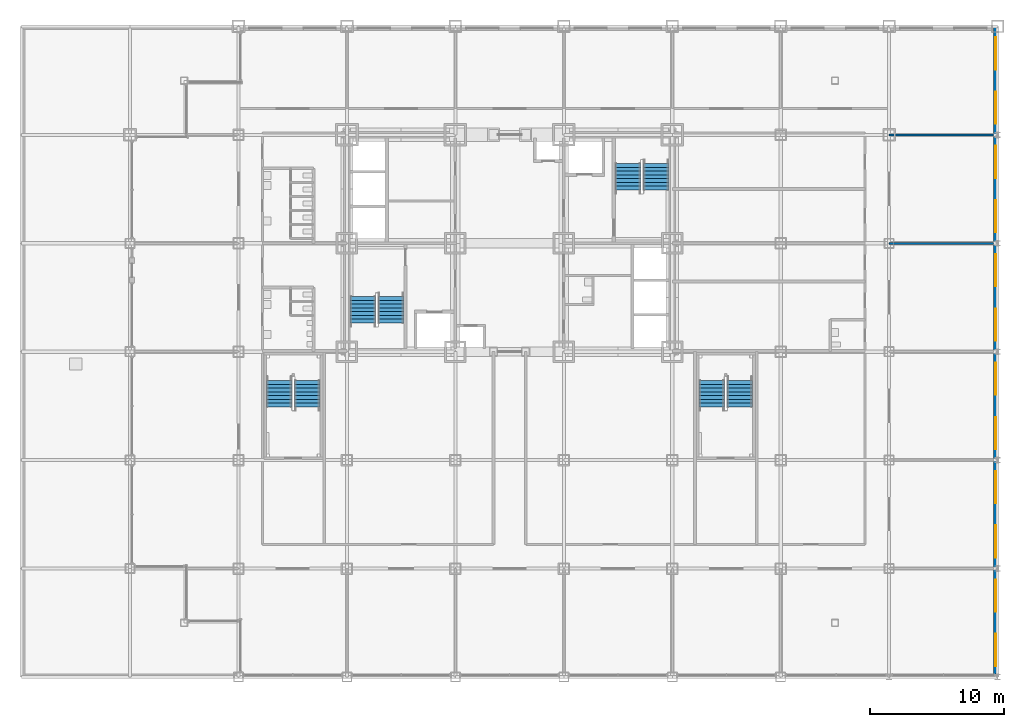
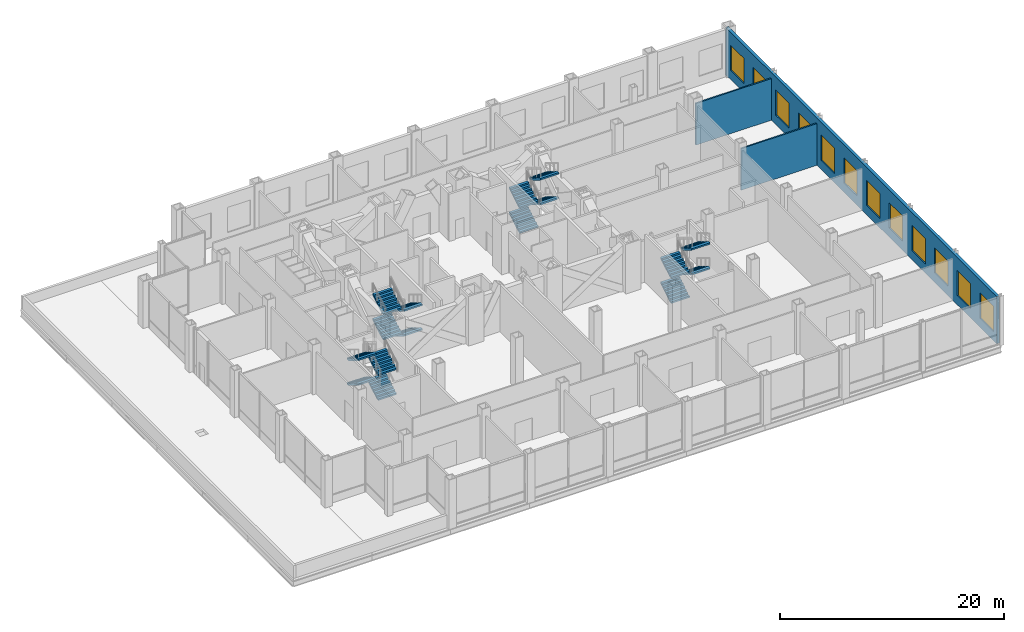
# One storey, part 23 of 26: 16 stair flights, 12 windows, 3 walls, 12 openings, 4 elements without a shape of their own.
"""IFC4 building model written with IfcOpenShell, lengths in metres."""

from ifc_helpers import new_model, si_unit, direction, frame, frame_2d, origin, place, context, subcontext, project, spatial, rectangle, extrude, polygons, source, transform, mapped, material, layer, layer_set, type_object, element, fill, aggregate, save


model = new_model("IFC4")

# Units and contexts
model_context = context("Model", 3, precision=1e-05, world=origin(), true_north=direction((0.0, 1.0)))
body_context = subcontext(model_context, "Body", "Model", "MODEL_VIEW")
ifc_project = project(units=[si_unit("LENGTHUNIT", "METRE"), si_unit("AREAUNIT", "SQUARE_METRE"), si_unit("VOLUMEUNIT", "CUBIC_METRE"), si_unit("PLANEANGLEUNIT", "RADIAN"), si_unit("MASSUNIT", "GRAM", prefix="KILO")], contexts=[model_context])

# Site, building, storey
site_placement = place(None, origin())
site = spatial("IfcSite", under=ifc_project, at=site_placement, CompositionType="ELEMENT")
building_placement = place(site_placement, origin())
building = spatial("IfcBuilding", under=site, at=building_placement, Name="Kopane Lantern Tower", CompositionType="ELEMENT")
storey_placement = place(building_placement, frame((0.0, 0.0, 16.800048828125)))
storey = spatial("IfcBuildingStorey", under=building, at=storey_placement, Name="L03", CompositionType="ELEMENT", Elevation=16.800048828125)

# Walls
ifc_material_1 = material(Name="Gypsum board on steel studs", Category="steel")
ifc_layer_1 = layer(ifc_material_1, 0.14990234375)
ifc_layer_set_1 = layer_set([ifc_layer_1], Name="DEMISING WALL 150 EI 60")
wall_type_1 = type_object("IfcWallType", Name="DEMISING WALL 150 EI 60", PredefinedType="PARTITIONING", material=ifc_layer_set_1)
for number, where, z_axis, x_axis, name in (
    (1, (56.699951171875, 32.39990234375, 0.0), (0.0, 0.0, 1.0), (1.0, 0.0, 0.0), "Demising Wall 150 Ei 60 L03"),
    (2, (56.699951171875, 40.5, 0.0), (0.0, 0.0, 1.0), (1.0, 0.0, 0.0), "Demising Wall 150 Ei 60 L03"),
):
    element("IfcWall", number, at=place(storey_placement, frame(where, z_axis=z_axis, x_axis=x_axis)), inside=storey, type_object=wall_type_1, Name=name, PredefinedType="PARTITIONING", context=body_context, shape_type="SweptSolid", body=[
        extrude(rectangle(XDim=7.800048828125, YDim=0.14990234375, at=frame_2d((3.89990234375, 0.0))), origin(), (0.0, 0.0, 1.0), 4.537841796875),
    ])

# Wall, openings, windows
ifc_material_2 = material(Name="Terracotta rainscreen on light steel framing", Category="masonry")
ifc_layer_2 = layer(ifc_material_2, 0.300048828125)
ifc_layer_set_2 = layer_set([ifc_layer_2], Name="EXTERNAL WALL EW1 300 TERRACOTTA")
wall_type_2 = type_object("IfcWallType", Name="EXTERNAL WALL EW1 300 TERRACOTTA", PredefinedType="SOLIDWALL", material=ifc_layer_set_2)
wall_placement = place(storey_placement, frame((64.64990234375, 0.239990234375, 0.0), z_axis=(0.0, 0.0, 1.0), x_axis=(0.0, 1.0, 0.0)))
wall = element("IfcWall", 3, at=wall_placement, inside=storey, type_object=wall_type_2, Name="External wall E L03", PredefinedType="SOLIDWALL", context=body_context, shape_type="SweptSolid", body=[
    extrude(rectangle(XDim=48.360107421875, YDim=0.300048828125, at=frame_2d((24.18017578125, 0.0))), origin(), (0.0, 0.0, 1.0), 5.14990234375),
])
opening_1_placement = place(wall_placement, frame((0.5849609375, 0.0, 1.0)))
opening_1 = element("IfcOpeningElement", 4, at=opening_1_placement, cuts=wall, Name="Opening WP240275", PredefinedType="OPENING", context=body_context, shape_type="SweptSolid", body=[
    extrude(rectangle(XDim=2.39990234375, YDim=2.75, at=frame_2d((1.199951171875, 1.375))), frame((0.0, 0.159912109375, 0.0), z_axis=(0.0, -1.0, 0.0), x_axis=(1.0, 0.0, 0.0)), (0.0, 0.0, 1.0), 0.320068359375),
])
opening_2_placement = place(wall_placement, frame((4.635009765625, 0.0, 1.0)))
opening_2 = element("IfcOpeningElement", 5, at=opening_2_placement, cuts=wall, Name="Opening WP240275", PredefinedType="OPENING", context=body_context, shape_type="SweptSolid", body=[
    extrude(rectangle(XDim=2.39990234375, YDim=2.75, at=frame_2d((1.199951171875, 1.375))), frame((0.0, 0.159912109375, 0.0), z_axis=(0.0, -1.0, 0.0), x_axis=(1.0, 0.0, 0.0)), (0.0, 0.0, 1.0), 0.320068359375),
])
opening_3_placement = place(wall_placement, frame((8.68505859375, 0.0, 1.0)))
opening_3 = element("IfcOpeningElement", 6, at=opening_3_placement, cuts=wall, Name="Opening WP240275", PredefinedType="OPENING", context=body_context, shape_type="SweptSolid", body=[
    extrude(rectangle(XDim=2.39990234375, YDim=2.75, at=frame_2d((1.199951171875, 1.375))), frame((0.0, 0.159912109375, 0.0), z_axis=(0.0, -1.0, 0.0), x_axis=(1.0, 0.0, 0.0)), (0.0, 0.0, 1.0), 0.320068359375),
])
opening_4_placement = place(wall_placement, frame((12.735107421875, 0.0, 1.0)))
opening_4 = element("IfcOpeningElement", 7, at=opening_4_placement, cuts=wall, Name="Opening WP240275", PredefinedType="OPENING", context=body_context, shape_type="SweptSolid", body=[
    extrude(rectangle(XDim=2.39990234375, YDim=2.75, at=frame_2d((1.199951171875, 1.375))), frame((0.0, 0.159912109375, 0.0), z_axis=(0.0, -1.0, 0.0), x_axis=(1.0, 0.0, 0.0)), (0.0, 0.0, 1.0), 0.320068359375),
])
opening_5_placement = place(wall_placement, frame((16.784912109375, 0.0, 1.0)))
opening_5 = element("IfcOpeningElement", 8, at=opening_5_placement, cuts=wall, Name="Opening WP240275", PredefinedType="OPENING", context=body_context, shape_type="SweptSolid", body=[
    extrude(rectangle(XDim=2.39990234375, YDim=2.75, at=frame_2d((1.199951171875, 1.375))), frame((0.0, 0.159912109375, 0.0), z_axis=(0.0, -1.0, 0.0), x_axis=(1.0, 0.0, 0.0)), (0.0, 0.0, 1.0), 0.320068359375),
])
opening_6_placement = place(wall_placement, frame((20.8349609375, 0.0, 1.0)))
opening_6 = element("IfcOpeningElement", 9, at=opening_6_placement, cuts=wall, Name="Opening WP240275", PredefinedType="OPENING", context=body_context, shape_type="SweptSolid", body=[
    extrude(rectangle(XDim=2.39990234375, YDim=2.75, at=frame_2d((1.199951171875, 1.375))), frame((0.0, 0.159912109375, 0.0), z_axis=(0.0, -1.0, 0.0), x_axis=(1.0, 0.0, 0.0)), (0.0, 0.0, 1.0), 0.320068359375),
])
opening_7_placement = place(wall_placement, frame((24.885009765625, 0.0, 1.0)))
opening_7 = element("IfcOpeningElement", 10, at=opening_7_placement, cuts=wall, Name="Opening WP240275", PredefinedType="OPENING", context=body_context, shape_type="SweptSolid", body=[
    extrude(rectangle(XDim=2.39990234375, YDim=2.75, at=frame_2d((1.199951171875, 1.375))), frame((0.0, 0.159912109375, 0.0), z_axis=(0.0, -1.0, 0.0), x_axis=(1.0, 0.0, 0.0)), (0.0, 0.0, 1.0), 0.320068359375),
])
opening_8_placement = place(wall_placement, frame((28.93505859375, 0.0, 1.0)))
opening_8 = element("IfcOpeningElement", 11, at=opening_8_placement, cuts=wall, Name="Opening WP240275", PredefinedType="OPENING", context=body_context, shape_type="SweptSolid", body=[
    extrude(rectangle(XDim=2.39990234375, YDim=2.75, at=frame_2d((1.199951171875, 1.375))), frame((0.0, 0.159912109375, 0.0), z_axis=(0.0, -1.0, 0.0), x_axis=(1.0, 0.0, 0.0)), (0.0, 0.0, 1.0), 0.320068359375),
])
opening_9_placement = place(wall_placement, frame((32.985107421875, 0.0, 1.0)))
opening_9 = element("IfcOpeningElement", 12, at=opening_9_placement, cuts=wall, Name="Opening WP240275", PredefinedType="OPENING", context=body_context, shape_type="SweptSolid", body=[
    extrude(rectangle(XDim=2.39990234375, YDim=2.75, at=frame_2d((1.199951171875, 1.375))), frame((0.0, 0.159912109375, 0.0), z_axis=(0.0, -1.0, 0.0), x_axis=(1.0, 0.0, 0.0)), (0.0, 0.0, 1.0), 0.320068359375),
])
opening_10_placement = place(wall_placement, frame((37.034912109375, 0.0, 1.0)))
opening_10 = element("IfcOpeningElement", 13, at=opening_10_placement, cuts=wall, Name="Opening WP240275", PredefinedType="OPENING", context=body_context, shape_type="SweptSolid", body=[
    extrude(rectangle(XDim=2.39990234375, YDim=2.75, at=frame_2d((1.199951171875, 1.375))), frame((0.0, 0.159912109375, 0.0), z_axis=(0.0, -1.0, 0.0), x_axis=(1.0, 0.0, 0.0)), (0.0, 0.0, 1.0), 0.320068359375),
])
opening_11_placement = place(wall_placement, frame((41.0849609375, 0.0, 1.0)))
opening_11 = element("IfcOpeningElement", 14, at=opening_11_placement, cuts=wall, Name="Opening WP240275", PredefinedType="OPENING", context=body_context, shape_type="SweptSolid", body=[
    extrude(rectangle(XDim=2.39990234375, YDim=2.75, at=frame_2d((1.199951171875, 1.375))), frame((0.0, 0.159912109375, 0.0), z_axis=(0.0, -1.0, 0.0), x_axis=(1.0, 0.0, 0.0)), (0.0, 0.0, 1.0), 0.320068359375),
])
opening_12_placement = place(wall_placement, frame((45.135009765625, 0.0, 1.0)))
opening_12 = element("IfcOpeningElement", 15, at=opening_12_placement, cuts=wall, Name="Opening WP240275", PredefinedType="OPENING", context=body_context, shape_type="SweptSolid", body=[
    extrude(rectangle(XDim=2.39990234375, YDim=2.75, at=frame_2d((1.199951171875, 1.375))), frame((0.0, 0.159912109375, 0.0), z_axis=(0.0, -1.0, 0.0), x_axis=(1.0, 0.0, 0.0)), (0.0, 0.0, 1.0), 0.320068359375),
])
ifc_material_3 = material(Name="Aluminium and clear glass", Category="aluminium")
window_type = type_object("IfcWindowType", Name="WINDOW WP240275 2400x2750", PartitioningType="SINGLE_PANEL", PredefinedType="WINDOW", material=ifc_material_3)
window_1_placement = place(opening_1_placement, origin())
window_1 = element("IfcWindow", 16, at=window_1_placement, inside=storey, type_object=window_type, Name="Window E L03", OverallHeight=2.75, OverallWidth=2.39990234375, PartitioningType="SINGLE_PANEL", PredefinedType="WINDOW", context=body_context, shape_type="SweptSolid", body=[
    extrude(rectangle(XDim=2.39990234375, YDim=2.75, at=frame_2d((1.199951171875, 1.375))), frame((0.0, 0.030029296875, 0.0), z_axis=(0.0, -1.0, 0.0), x_axis=(1.0, 0.0, 0.0)), (0.0, 0.0, 1.0), 0.06005859375),
])
fill(opening_1, window_1)
window_2_placement = place(opening_2_placement, origin())
window_2 = element("IfcWindow", 17, at=window_2_placement, inside=storey, type_object=window_type, Name="Window E L03", OverallHeight=2.75, OverallWidth=2.39990234375, PartitioningType="SINGLE_PANEL", PredefinedType="WINDOW", context=body_context, shape_type="SweptSolid", body=[
    extrude(rectangle(XDim=2.39990234375, YDim=2.75, at=frame_2d((1.199951171875, 1.375))), frame((0.0, 0.030029296875, 0.0), z_axis=(0.0, -1.0, 0.0), x_axis=(1.0, 0.0, 0.0)), (0.0, 0.0, 1.0), 0.06005859375),
])
fill(opening_2, window_2)
window_3_placement = place(opening_3_placement, origin())
window_3 = element("IfcWindow", 18, at=window_3_placement, inside=storey, type_object=window_type, Name="Window E L03", OverallHeight=2.75, OverallWidth=2.39990234375, PartitioningType="SINGLE_PANEL", PredefinedType="WINDOW", context=body_context, shape_type="SweptSolid", body=[
    extrude(rectangle(XDim=2.39990234375, YDim=2.75, at=frame_2d((1.199951171875, 1.375))), frame((0.0, 0.030029296875, 0.0), z_axis=(0.0, -1.0, 0.0), x_axis=(1.0, 0.0, 0.0)), (0.0, 0.0, 1.0), 0.06005859375),
])
fill(opening_3, window_3)
window_4_placement = place(opening_4_placement, origin())
window_4 = element("IfcWindow", 19, at=window_4_placement, inside=storey, type_object=window_type, Name="Window E L03", OverallHeight=2.75, OverallWidth=2.39990234375, PartitioningType="SINGLE_PANEL", PredefinedType="WINDOW", context=body_context, shape_type="SweptSolid", body=[
    extrude(rectangle(XDim=2.39990234375, YDim=2.75, at=frame_2d((1.199951171875, 1.375))), frame((0.0, 0.030029296875, 0.0), z_axis=(0.0, -1.0, 0.0), x_axis=(1.0, 0.0, 0.0)), (0.0, 0.0, 1.0), 0.06005859375),
])
fill(opening_4, window_4)
window_5_placement = place(opening_5_placement, origin())
window_5 = element("IfcWindow", 20, at=window_5_placement, inside=storey, type_object=window_type, Name="Window E L03", OverallHeight=2.75, OverallWidth=2.39990234375, PartitioningType="SINGLE_PANEL", PredefinedType="WINDOW", context=body_context, shape_type="SweptSolid", body=[
    extrude(rectangle(XDim=2.39990234375, YDim=2.75, at=frame_2d((1.199951171875, 1.375))), frame((0.0, 0.030029296875, 0.0), z_axis=(0.0, -1.0, 0.0), x_axis=(1.0, 0.0, 0.0)), (0.0, 0.0, 1.0), 0.06005859375),
])
fill(opening_5, window_5)
window_6_placement = place(opening_6_placement, origin())
window_6 = element("IfcWindow", 21, at=window_6_placement, inside=storey, type_object=window_type, Name="Window E L03", OverallHeight=2.75, OverallWidth=2.39990234375, PartitioningType="SINGLE_PANEL", PredefinedType="WINDOW", context=body_context, shape_type="SweptSolid", body=[
    extrude(rectangle(XDim=2.39990234375, YDim=2.75, at=frame_2d((1.199951171875, 1.375))), frame((0.0, 0.030029296875, 0.0), z_axis=(0.0, -1.0, 0.0), x_axis=(1.0, 0.0, 0.0)), (0.0, 0.0, 1.0), 0.06005859375),
])
fill(opening_6, window_6)
window_7_placement = place(opening_7_placement, origin())
window_7 = element("IfcWindow", 22, at=window_7_placement, inside=storey, type_object=window_type, Name="Window E L03", OverallHeight=2.75, OverallWidth=2.39990234375, PartitioningType="SINGLE_PANEL", PredefinedType="WINDOW", context=body_context, shape_type="SweptSolid", body=[
    extrude(rectangle(XDim=2.39990234375, YDim=2.75, at=frame_2d((1.199951171875, 1.375))), frame((0.0, 0.030029296875, 0.0), z_axis=(0.0, -1.0, 0.0), x_axis=(1.0, 0.0, 0.0)), (0.0, 0.0, 1.0), 0.06005859375),
])
fill(opening_7, window_7)
window_8_placement = place(opening_8_placement, origin())
window_8 = element("IfcWindow", 23, at=window_8_placement, inside=storey, type_object=window_type, Name="Window E L03", OverallHeight=2.75, OverallWidth=2.39990234375, PartitioningType="SINGLE_PANEL", PredefinedType="WINDOW", context=body_context, shape_type="SweptSolid", body=[
    extrude(rectangle(XDim=2.39990234375, YDim=2.75, at=frame_2d((1.199951171875, 1.375))), frame((0.0, 0.030029296875, 0.0), z_axis=(0.0, -1.0, 0.0), x_axis=(1.0, 0.0, 0.0)), (0.0, 0.0, 1.0), 0.06005859375),
])
fill(opening_8, window_8)
window_9_placement = place(opening_9_placement, origin())
window_9 = element("IfcWindow", 24, at=window_9_placement, inside=storey, type_object=window_type, Name="Window E L03", OverallHeight=2.75, OverallWidth=2.39990234375, PartitioningType="SINGLE_PANEL", PredefinedType="WINDOW", context=body_context, shape_type="SweptSolid", body=[
    extrude(rectangle(XDim=2.39990234375, YDim=2.75, at=frame_2d((1.199951171875, 1.375))), frame((0.0, 0.030029296875, 0.0), z_axis=(0.0, -1.0, 0.0), x_axis=(1.0, 0.0, 0.0)), (0.0, 0.0, 1.0), 0.06005859375),
])
fill(opening_9, window_9)
window_10_placement = place(opening_10_placement, origin())
window_10 = element("IfcWindow", 25, at=window_10_placement, inside=storey, type_object=window_type, Name="Window E L03", OverallHeight=2.75, OverallWidth=2.39990234375, PartitioningType="SINGLE_PANEL", PredefinedType="WINDOW", context=body_context, shape_type="SweptSolid", body=[
    extrude(rectangle(XDim=2.39990234375, YDim=2.75, at=frame_2d((1.199951171875, 1.375))), frame((0.0, 0.030029296875, 0.0), z_axis=(0.0, -1.0, 0.0), x_axis=(1.0, 0.0, 0.0)), (0.0, 0.0, 1.0), 0.06005859375),
])
fill(opening_10, window_10)
window_11_placement = place(opening_11_placement, origin())
window_11 = element("IfcWindow", 26, at=window_11_placement, inside=storey, type_object=window_type, Name="Window E L03", OverallHeight=2.75, OverallWidth=2.39990234375, PartitioningType="SINGLE_PANEL", PredefinedType="WINDOW", context=body_context, shape_type="SweptSolid", body=[
    extrude(rectangle(XDim=2.39990234375, YDim=2.75, at=frame_2d((1.199951171875, 1.375))), frame((0.0, 0.030029296875, 0.0), z_axis=(0.0, -1.0, 0.0), x_axis=(1.0, 0.0, 0.0)), (0.0, 0.0, 1.0), 0.06005859375),
])
fill(opening_11, window_11)
window_12_placement = place(opening_12_placement, origin())
window_12 = element("IfcWindow", 27, at=window_12_placement, inside=storey, type_object=window_type, Name="Window E L03", OverallHeight=2.75, OverallWidth=2.39990234375, PartitioningType="SINGLE_PANEL", PredefinedType="WINDOW", context=body_context, shape_type="SweptSolid", body=[
    extrude(rectangle(XDim=2.39990234375, YDim=2.75, at=frame_2d((1.199951171875, 1.375))), frame((0.0, 0.030029296875, 0.0), z_axis=(0.0, -1.0, 0.0), x_axis=(1.0, 0.0, 0.0)), (0.0, 0.0, 1.0), 0.06005859375),
])
fill(opening_12, window_12)

# Stair, stair flights
ifc_material_4 = material(Name="Steel S355JR", Category="steel")
stair_type = type_object("IfcStairType", Name="EXIT STAIR 1900 HALF TURN", PredefinedType="HALF_TURN_STAIR", material=ifc_material_4)
stair_1_placement = place(storey_placement, origin())
stair_1 = element("IfcStair", 28, at=stair_1_placement, inside=storey, type_object=stair_type, Name="Exit stair ST1 L03", PredefinedType="HALF_TURN_STAIR")
ifc_material_5 = material(Name="Steel S355JR", Category="steel")
stair_flight_type = type_object("IfcStairFlightType", Name="STAIR FLIGHT 1900 STEEL", PredefinedType="STRAIGHT", material=ifc_material_5)
shared_shape = source(origin(), body_context, "Body", "Tessellation", [
    polygons([(1.959960938, 0.949951172, 1.181152344), (1.679931641, 0.949951172, 1.181152344), (1.679931641, -0.949951172, 1.181152344), (1.959960938, -0.949951172, 1.181152344), (0.290527344, 0.949951172, 0.0), (1.959960938, 0.949951172, 1.006347656), (1.959960938, -0.949951172, 1.006347656), (0.290527344, -0.949951172, 0.0), (0.0, 0.949951172, 0.0), (0.0, -0.949951172, 0.0), (0.280029297, 0.949951172, 0.168701172), (0.0, 0.949951172, 0.168701172), (0.0, -0.949951172, 0.168701172), (0.280029297, -0.949951172, 0.168701172), (0.280029297, 0.949951172, 0.337402344), (0.280029297, -0.949951172, 0.337402344), (0.560058594, 0.949951172, 0.337402344), (0.560058594, -0.949951172, 0.337402344), (0.560058594, 0.949951172, 0.506347656), (0.560058594, -0.949951172, 0.506347656), (0.840087891, 0.949951172, 0.506347656), (0.840087891, -0.949951172, 0.506347656), (0.840087891, 0.949951172, 0.675048828), (0.840087891, -0.949951172, 0.675048828), (1.120117188, 0.949951172, 0.675048828), (1.120117188, -0.949951172, 0.675048828), (1.120117188, 0.949951172, 0.84375), (1.120117188, -0.949951172, 0.84375), (1.399902344, 0.949951172, 0.84375), (1.399902344, -0.949951172, 0.84375), (1.399902344, 0.949951172, 1.012451172), (1.399902344, -0.949951172, 1.012451172), (1.679931641, 0.949951172, 1.012451172), (1.679931641, -0.949951172, 1.012451172), (0.0, 0.0, 0.004559491), (0.0, 0.0, 0.009118982), (0.0, 0.0, 0.013678473), (0.0, 0.0, 0.018237965), (0.0, 0.0, 0.022797456), (0.0, 0.0, 0.027356947), (0.0, 0.0, 0.031916438), (0.0, 0.0, 0.036475929), (0.0, 0.0, 0.04103542), (0.0, 0.0, 0.045594911), (0.0, 0.0, 0.050154402), (0.0, 0.0, 0.054713894), (0.0, 0.0, 0.059273385), (0.0, 0.0, 0.063832876), (0.0, 0.0, 0.068392367), (0.0, 0.0, 0.072951858), (0.0, 0.0, 0.077511349), (0.0, 0.0, 0.08207084), (0.0, 0.0, 0.086630332), (0.0, 0.0, 0.091189823), (0.0, 0.0, 0.095749314), (0.0, 0.0, 0.100308805), (0.0, 0.0, 0.104868296), (0.0, 0.0, 0.109427787), (0.0, 0.0, 0.113987278), (0.0, 0.0, 0.118546769), (0.0, 0.0, 0.123106261), (0.0, 0.0, 0.127665752), (0.0, 0.0, 0.132225243), (0.0, 0.0, 0.136784734), (0.0, 0.0, 0.141344225), (0.0, 0.0, 0.145903716), (0.0, 0.0, 0.150463207), (0.0, 0.0, 0.155022698), (0.0, 0.0, 0.15958219), (0.0, 0.0, 0.164141681), (1.959960938, 0.0, 1.011072107), (1.959960938, 0.0, 1.015796558), (1.959960938, 0.0, 1.020521009), (1.959960938, 0.0, 1.02524546), (1.959960938, 0.0, 1.029969911), (1.959960938, 0.0, 1.034694362), (1.959960938, 0.0, 1.039418813), (1.959960938, 0.0, 1.044143264), (1.959960938, 0.0, 1.048867715), (1.959960938, 0.0, 1.053592166), (1.959960938, 0.0, 1.058316617), (1.959960938, 0.0, 1.063041068), (1.959960938, 0.0, 1.067765519), (1.959960938, 0.0, 1.07248997), (1.959960938, 0.0, 1.077214421), (1.959960938, 0.0, 1.081938872), (1.959960938, 0.0, 1.086663323), (1.959960938, 0.0, 1.091387774), (1.959960938, 0.0, 1.096112226), (1.959960938, 0.0, 1.100836677), (1.959960938, 0.0, 1.105561128), (1.959960938, 0.0, 1.110285579), (1.959960938, 0.0, 1.11501003), (1.959960938, 0.0, 1.119734481), (1.959960938, 0.0, 1.124458932), (1.959960938, 0.0, 1.129183383), (1.959960938, 0.0, 1.133907834), (1.959960938, 0.0, 1.138632285), (1.959960938, 0.0, 1.143356736), (1.959960938, 0.0, 1.148081187), (1.959960938, 0.0, 1.152805638), (1.959960938, 0.0, 1.157530089), (1.959960938, 0.0, 1.16225454), (1.959960938, 0.0, 1.166978991), (1.959960938, 0.0, 1.171703442), (1.959960938, 0.0, 1.176427893)], [[[1, 2, 3]], [[1, 3, 4]], [[5, 6, 7]], [[5, 7, 8]], [[9, 5, 8]], [[9, 8, 10]], [[11, 12, 13]], [[11, 13, 14]], [[15, 11, 14]], [[15, 14, 16]], [[17, 15, 16]], [[17, 16, 18]], [[19, 17, 18]], [[19, 18, 20]], [[21, 19, 20]], [[21, 20, 22]], [[23, 21, 22]], [[23, 22, 24]], [[25, 23, 24]], [[25, 24, 26]], [[27, 25, 26]], [[27, 26, 28]], [[29, 27, 28]], [[29, 28, 30]], [[31, 29, 30]], [[31, 30, 32]], [[33, 31, 32]], [[33, 32, 34]], [[2, 33, 34]], [[2, 34, 3]], [[33, 1, 6]], [[29, 33, 6]], [[2, 1, 33]], [[25, 29, 6]], [[31, 33, 29]], [[5, 21, 25]], [[27, 29, 25]], [[17, 21, 5]], [[23, 25, 21]], [[11, 17, 5]], [[19, 21, 17]], [[9, 11, 5]], [[15, 17, 11]], [[12, 11, 9]], [[6, 5, 25]], [[7, 4, 34]], [[7, 34, 30]], [[34, 4, 3]], [[7, 30, 26]], [[30, 34, 32]], [[26, 22, 8]], [[26, 30, 28]], [[8, 22, 18]], [[22, 26, 24]], [[8, 18, 14]], [[18, 22, 20]], [[8, 14, 10]], [[14, 18, 16]], [[10, 14, 13]], [[26, 8, 7]], [[10, 35, 9]], [[10, 36, 35]], [[9, 35, 36]], [[10, 37, 36]], [[9, 36, 37]], [[10, 38, 37]], [[9, 37, 38]], [[10, 39, 38]], [[9, 38, 39]], [[10, 40, 39]], [[9, 39, 40]], [[10, 41, 40]], [[9, 40, 41]], [[10, 42, 41]], [[9, 41, 42]], [[10, 43, 42]], [[9, 42, 43]], [[10, 44, 43]], [[9, 43, 44]], [[10, 45, 44]], [[9, 44, 45]], [[10, 46, 45]], [[9, 45, 46]], [[10, 47, 46]], [[9, 46, 47]], [[10, 48, 47]], [[9, 47, 48]], [[10, 49, 48]], [[9, 48, 49]], [[10, 50, 49]], [[9, 49, 50]], [[10, 51, 50]], [[9, 50, 51]], [[10, 52, 51]], [[9, 51, 52]], [[10, 53, 52]], [[9, 52, 53]], [[10, 54, 53]], [[9, 53, 54]], [[10, 55, 54]], [[9, 54, 55]], [[10, 56, 55]], [[9, 55, 56]], [[10, 57, 56]], [[9, 56, 57]], [[10, 58, 57]], [[9, 57, 58]], [[10, 59, 58]], [[9, 58, 59]], [[10, 60, 59]], [[9, 59, 60]], [[10, 61, 60]], [[9, 60, 61]], [[10, 62, 61]], [[9, 61, 62]], [[10, 63, 62]], [[9, 62, 63]], [[10, 64, 63]], [[9, 63, 64]], [[10, 65, 64]], [[9, 64, 65]], [[10, 66, 65]], [[9, 65, 66]], [[10, 67, 66]], [[9, 66, 67]], [[10, 68, 67]], [[9, 67, 68]], [[10, 69, 68]], [[9, 68, 69]], [[10, 70, 69]], [[9, 69, 70]], [[10, 13, 70]], [[70, 13, 12]], [[9, 70, 12]], [[7, 6, 71]], [[7, 71, 72]], [[6, 72, 71]], [[7, 72, 73]], [[6, 73, 72]], [[7, 73, 74]], [[6, 74, 73]], [[7, 74, 75]], [[6, 75, 74]], [[7, 75, 76]], [[6, 76, 75]], [[7, 76, 77]], [[6, 77, 76]], [[7, 77, 78]], [[6, 78, 77]], [[7, 78, 79]], [[6, 79, 78]], [[7, 79, 80]], [[6, 80, 79]], [[7, 80, 81]], [[6, 81, 80]], [[7, 81, 82]], [[6, 82, 81]], [[7, 82, 83]], [[6, 83, 82]], [[7, 83, 84]], [[6, 84, 83]], [[7, 84, 85]], [[6, 85, 84]], [[7, 85, 86]], [[6, 86, 85]], [[7, 86, 87]], [[6, 87, 86]], [[7, 87, 88]], [[6, 88, 87]], [[7, 88, 89]], [[6, 89, 88]], [[7, 89, 90]], [[6, 90, 89]], [[7, 90, 91]], [[6, 91, 90]], [[7, 91, 92]], [[6, 92, 91]], [[7, 92, 93]], [[6, 93, 92]], [[7, 93, 94]], [[6, 94, 93]], [[7, 94, 95]], [[6, 95, 94]], [[7, 95, 96]], [[6, 96, 95]], [[7, 96, 97]], [[6, 97, 96]], [[7, 97, 98]], [[6, 98, 97]], [[7, 98, 99]], [[6, 99, 98]], [[7, 99, 100]], [[6, 100, 99]], [[7, 100, 101]], [[6, 101, 100]], [[7, 101, 102]], [[6, 102, 101]], [[7, 102, 103]], [[6, 103, 102]], [[7, 103, 104]], [[6, 104, 103]], [[7, 104, 105]], [[6, 105, 104]], [[7, 105, 106]], [[6, 106, 105]], [[7, 106, 4]], [[106, 1, 4]], [[6, 1, 106]]], closed=True),
])
stair_flight_1_placement = place(storey_placement, frame((19.5, 28.409912109375, 0.0), z_axis=(0.0, 0.0, 1.0), x_axis=(0.0, -1.0, 0.0)))
stair_flight_1 = element("IfcStairFlight", 29, at=stair_flight_1_placement, type_object=stair_flight_type, Name="ST1 flight 1", NumberOfRisers=8, NumberOfTreads=7, PredefinedType="STRAIGHT", RiserHeight=0.16875, TreadLength=0.28, context=body_context, shape_type="MappedRepresentation", body=[
    mapped(shared_shape, transform((0.0, 0.0, 0.0))),
])
stair_flight_2_placement = place(storey_placement, frame((17.39990234375, 26.449951171875, 1.349853515625), z_axis=(0.0, 0.0, 1.0), x_axis=(0.0, 1.0, 0.0)))
stair_flight_2 = element("IfcStairFlight", 30, at=stair_flight_2_placement, type_object=stair_flight_type, Name="ST1 flight 2", NumberOfRisers=8, NumberOfTreads=7, PredefinedType="STRAIGHT", RiserHeight=0.16875, TreadLength=0.28, context=body_context, shape_type="MappedRepresentation", body=[
    mapped(shared_shape, transform((0.0, 0.0, 0.0))),
])
stair_flight_3_placement = place(storey_placement, frame((19.5, 28.409912109375, 2.699951171875), z_axis=(0.0, 0.0, 1.0), x_axis=(0.0, -1.0, 0.0)))
stair_flight_3 = element("IfcStairFlight", 31, at=stair_flight_3_placement, type_object=stair_flight_type, Name="ST1 flight 3", NumberOfRisers=8, NumberOfTreads=7, PredefinedType="STRAIGHT", RiserHeight=0.16875, TreadLength=0.28, context=body_context, shape_type="MappedRepresentation", body=[
    mapped(shared_shape, transform((0.0, 0.0, 0.0))),
])
stair_flight_4_placement = place(storey_placement, frame((17.39990234375, 26.449951171875, 4.050048828125), z_axis=(0.0, 0.0, 1.0), x_axis=(0.0, 1.0, 0.0)))
stair_flight_4 = element("IfcStairFlight", 32, at=stair_flight_4_placement, type_object=stair_flight_type, Name="ST1 flight 4", NumberOfRisers=8, NumberOfTreads=7, PredefinedType="STRAIGHT", RiserHeight=0.16875, TreadLength=0.28, context=body_context, shape_type="MappedRepresentation", body=[
    mapped(shared_shape, transform((0.0, 0.0, 0.0))),
])
aggregate(stair_1, [stair_flight_1, stair_flight_2, stair_flight_3, stair_flight_4])

stair_2_placement = place(storey_placement, origin())
stair_2 = element("IfcStair", 33, at=stair_2_placement, inside=storey, type_object=stair_type, Name="Exit stair ST2 L03", PredefinedType="HALF_TURN_STAIR")
stair_flight_5_placement = place(storey_placement, frame((37.199951171875, 36.389892578125, 0.0), z_axis=(0.0, 0.0, 1.0), x_axis=(0.0, 1.0, 0.0)))
stair_flight_5 = element("IfcStairFlight", 34, at=stair_flight_5_placement, type_object=stair_flight_type, Name="ST2 flight 1", NumberOfRisers=8, NumberOfTreads=7, PredefinedType="STRAIGHT", RiserHeight=0.16875, TreadLength=0.28, context=body_context, shape_type="MappedRepresentation", body=[
    mapped(shared_shape, transform((0.0, 0.0, 0.0))),
])
stair_flight_6_placement = place(storey_placement, frame((39.300048828125, 38.35009765625, 1.349853515625), z_axis=(0.0, 0.0, 1.0), x_axis=(0.0, -1.0, 0.0)))
stair_flight_6 = element("IfcStairFlight", 35, at=stair_flight_6_placement, type_object=stair_flight_type, Name="ST2 flight 2", NumberOfRisers=8, NumberOfTreads=7, PredefinedType="STRAIGHT", RiserHeight=0.16875, TreadLength=0.28, context=body_context, shape_type="MappedRepresentation", body=[
    mapped(shared_shape, transform((0.0, 0.0, 0.0))),
])
stair_flight_7_placement = place(storey_placement, frame((37.199951171875, 36.389892578125, 2.699951171875), z_axis=(0.0, 0.0, 1.0), x_axis=(0.0, 1.0, 0.0)))
stair_flight_7 = element("IfcStairFlight", 36, at=stair_flight_7_placement, type_object=stair_flight_type, Name="ST2 flight 3", NumberOfRisers=8, NumberOfTreads=7, PredefinedType="STRAIGHT", RiserHeight=0.16875, TreadLength=0.28, context=body_context, shape_type="MappedRepresentation", body=[
    mapped(shared_shape, transform((0.0, 0.0, 0.0))),
])
stair_flight_8_placement = place(storey_placement, frame((39.300048828125, 38.35009765625, 4.050048828125), z_axis=(0.0, 0.0, 1.0), x_axis=(0.0, -1.0, 0.0)))
stair_flight_8 = element("IfcStairFlight", 37, at=stair_flight_8_placement, type_object=stair_flight_type, Name="ST2 flight 4", NumberOfRisers=8, NumberOfTreads=7, PredefinedType="STRAIGHT", RiserHeight=0.16875, TreadLength=0.28, context=body_context, shape_type="MappedRepresentation", body=[
    mapped(shared_shape, transform((0.0, 0.0, 0.0))),
])
aggregate(stair_2, [stair_flight_5, stair_flight_6, stair_flight_7, stair_flight_8])

stair_3_placement = place(storey_placement, origin())
stair_3 = element("IfcStair", 38, at=stair_3_placement, inside=storey, type_object=stair_type, Name="Exit stair ST3 L03", PredefinedType="HALF_TURN_STAIR")
stair_flight_9_placement = place(storey_placement, frame((13.25, 20.18994140625, 0.0), z_axis=(0.0, 0.0, 1.0), x_axis=(0.0, 1.0, 0.0)))
stair_flight_9 = element("IfcStairFlight", 39, at=stair_flight_9_placement, type_object=stair_flight_type, Name="ST3 flight 1", NumberOfRisers=8, NumberOfTreads=7, PredefinedType="STRAIGHT", RiserHeight=0.16875, TreadLength=0.28, context=body_context, shape_type="MappedRepresentation", body=[
    mapped(shared_shape, transform((0.0, 0.0, 0.0))),
])
stair_flight_10_placement = place(storey_placement, frame((11.14990234375, 22.14990234375, 1.349853515625), z_axis=(0.0, 0.0, 1.0), x_axis=(0.0, -1.0, 0.0)))
stair_flight_10 = element("IfcStairFlight", 40, at=stair_flight_10_placement, type_object=stair_flight_type, Name="ST3 flight 2", NumberOfRisers=8, NumberOfTreads=7, PredefinedType="STRAIGHT", RiserHeight=0.16875, TreadLength=0.28, context=body_context, shape_type="MappedRepresentation", body=[
    mapped(shared_shape, transform((0.0, 0.0, 0.0))),
])
stair_flight_11_placement = place(storey_placement, frame((13.25, 20.18994140625, 2.699951171875), z_axis=(0.0, 0.0, 1.0), x_axis=(0.0, 1.0, 0.0)))
stair_flight_11 = element("IfcStairFlight", 41, at=stair_flight_11_placement, type_object=stair_flight_type, Name="ST3 flight 3", NumberOfRisers=8, NumberOfTreads=7, PredefinedType="STRAIGHT", RiserHeight=0.16875, TreadLength=0.28, context=body_context, shape_type="MappedRepresentation", body=[
    mapped(shared_shape, transform((0.0, 0.0, 0.0))),
])
stair_flight_12_placement = place(storey_placement, frame((11.14990234375, 22.14990234375, 4.050048828125), z_axis=(0.0, 0.0, 1.0), x_axis=(0.0, -1.0, 0.0)))
stair_flight_12 = element("IfcStairFlight", 42, at=stair_flight_12_placement, type_object=stair_flight_type, Name="ST3 flight 4", NumberOfRisers=8, NumberOfTreads=7, PredefinedType="STRAIGHT", RiserHeight=0.16875, TreadLength=0.28, context=body_context, shape_type="MappedRepresentation", body=[
    mapped(shared_shape, transform((0.0, 0.0, 0.0))),
])
aggregate(stair_3, [stair_flight_9, stair_flight_10, stair_flight_11, stair_flight_12])

stair_4_placement = place(storey_placement, origin())
stair_4 = element("IfcStair", 43, at=stair_4_placement, inside=storey, type_object=stair_type, Name="Exit stair ST4 L03", PredefinedType="HALF_TURN_STAIR")
stair_flight_13_placement = place(storey_placement, frame((43.449951171875, 20.18994140625, 0.0), z_axis=(0.0, 0.0, 1.0), x_axis=(0.0, 1.0, 0.0)))
stair_flight_13 = element("IfcStairFlight", 44, at=stair_flight_13_placement, type_object=stair_flight_type, Name="ST4 flight 1", NumberOfRisers=8, NumberOfTreads=7, PredefinedType="STRAIGHT", RiserHeight=0.16875, TreadLength=0.28, context=body_context, shape_type="MappedRepresentation", body=[
    mapped(shared_shape, transform((0.0, 0.0, 0.0))),
])
stair_flight_14_placement = place(storey_placement, frame((45.550048828125, 22.14990234375, 1.349853515625), z_axis=(0.0, 0.0, 1.0), x_axis=(0.0, -1.0, 0.0)))
stair_flight_14 = element("IfcStairFlight", 45, at=stair_flight_14_placement, type_object=stair_flight_type, Name="ST4 flight 2", NumberOfRisers=8, NumberOfTreads=7, PredefinedType="STRAIGHT", RiserHeight=0.16875, TreadLength=0.28, context=body_context, shape_type="MappedRepresentation", body=[
    mapped(shared_shape, transform((0.0, 0.0, 0.0))),
])
stair_flight_15_placement = place(storey_placement, frame((43.449951171875, 20.18994140625, 2.699951171875), z_axis=(0.0, 0.0, 1.0), x_axis=(0.0, 1.0, 0.0)))
stair_flight_15 = element("IfcStairFlight", 46, at=stair_flight_15_placement, type_object=stair_flight_type, Name="ST4 flight 3", NumberOfRisers=8, NumberOfTreads=7, PredefinedType="STRAIGHT", RiserHeight=0.16875, TreadLength=0.28, context=body_context, shape_type="MappedRepresentation", body=[
    mapped(shared_shape, transform((0.0, 0.0, 0.0))),
])
stair_flight_16_placement = place(storey_placement, frame((45.550048828125, 22.14990234375, 4.050048828125), z_axis=(0.0, 0.0, 1.0), x_axis=(0.0, -1.0, 0.0)))
stair_flight_16 = element("IfcStairFlight", 47, at=stair_flight_16_placement, type_object=stair_flight_type, Name="ST4 flight 4", NumberOfRisers=8, NumberOfTreads=7, PredefinedType="STRAIGHT", RiserHeight=0.16875, TreadLength=0.28, context=body_context, shape_type="MappedRepresentation", body=[
    mapped(shared_shape, transform((0.0, 0.0, 0.0))),
])
aggregate(stair_4, [stair_flight_13, stair_flight_14, stair_flight_15, stair_flight_16])

save(model, "model.ifc")
